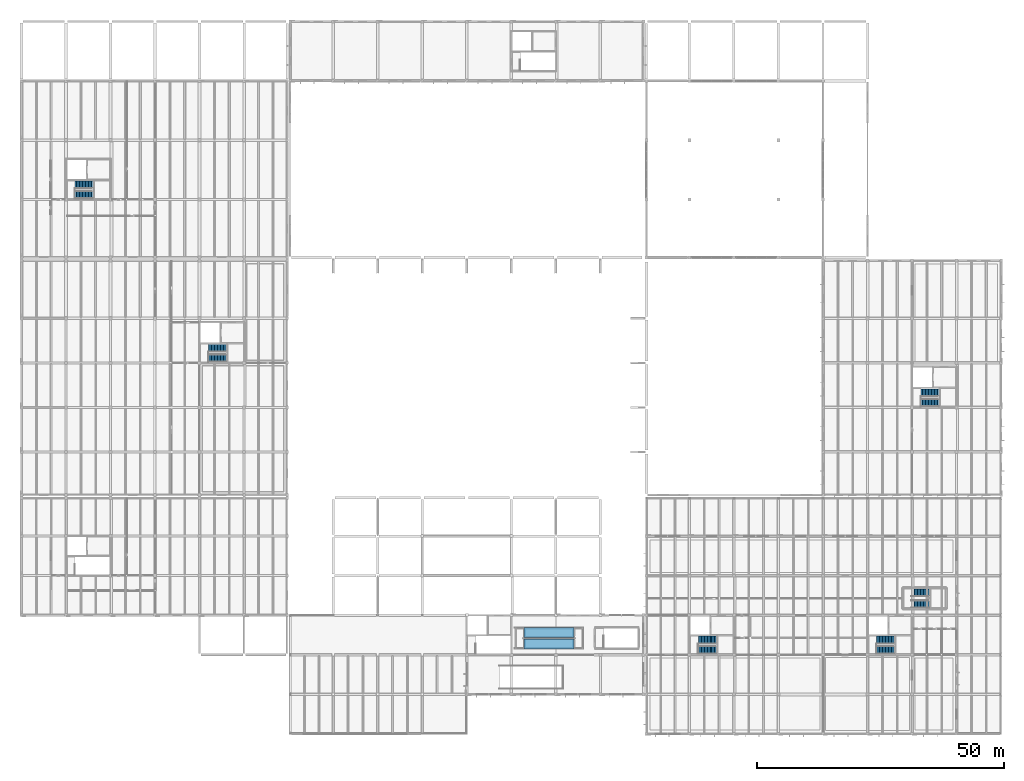
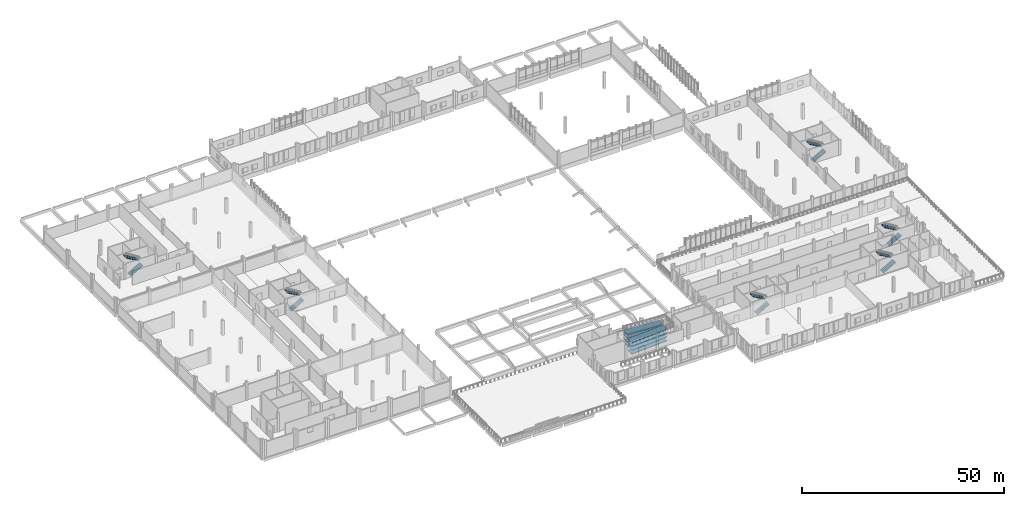
# One storey, part 47 of 63: 12 stair flights, 8 ramp flights, 7 elements without a shape of their own.
"""IFC4 building model written with IfcOpenShell, lengths in metres."""

from ifc_helpers import new_model, si_unit, direction, frame, origin, place, context, subcontext, project, spatial, polyline, outline, extrude, material, layer, layer_set, type_object, element, aggregate, save


model = new_model("IFC4")

# Units and contexts
model_context = context("Model", 3, precision=1e-05, world=origin(), true_north=direction((0.0, 1.0)))
body_context = subcontext(model_context, "Body", "Model", "MODEL_VIEW")
ifc_project = project(units=[si_unit("LENGTHUNIT", "METRE"), si_unit("AREAUNIT", "SQUARE_METRE"), si_unit("VOLUMEUNIT", "CUBIC_METRE"), si_unit("PLANEANGLEUNIT", "RADIAN"), si_unit("MASSUNIT", "GRAM", prefix="KILO")], contexts=[model_context])

# Site, building, storey
site_placement = place(None, origin())
site = spatial("IfcSite", under=ifc_project, at=site_placement, CompositionType="ELEMENT")
building_placement = place(site_placement, origin())
building = spatial("IfcBuilding", under=site, at=building_placement, Name="Zacnel Wholesale Market", CompositionType="ELEMENT")
storey_placement = place(building_placement, frame((0.0, 0.0, 11.199951171875)))
storey = spatial("IfcBuildingStorey", under=building, at=storey_placement, Name="L03", CompositionType="ELEMENT", Elevation=11.199951171875)

# Stair, stair flights
ifc_material_1 = material(Name="Precast concrete C45/55", Category="concrete")
stair_type = type_object("IfcStairType", Name="STR-DOGLEG-1550", PredefinedType="HALF_TURN_STAIR", material=ifc_material_1)
stair_1_placement = place(storey_placement, origin())
stair_1 = element("IfcStair", 1, at=stair_1_placement, inside=storey, type_object=stair_type, Name="Stair ST-03 (L03)", PredefinedType="HALF_TURN_STAIR")
ifc_material_2 = material(Name="Precast concrete C45/55", Category="concrete")
ifc_layer_1 = layer(ifc_material_2, 0.159912109375)
ifc_layer_set_1 = layer_set([ifc_layer_1], Name="Precast concrete C45/55")
stair_flight_type = type_object("IfcStairFlightType", Name="FLT-PC-1550", PredefinedType="STRAIGHT", material=ifc_layer_set_1)
stair_flight_1_placement = place(storey_placement, frame((154.81005859375, 16.965087890625, 0.0), z_axis=(0.0, 0.0, 1.0), x_axis=(1.0, 0.0, 0.0)))
stair_flight_1 = element("IfcStairFlight", 2, at=stair_flight_1_placement, type_object=stair_flight_type, Name="ST-03 flight 1", NumberOfRisers=13, NumberOfTreads=12, PredefinedType="STRAIGHT", RiserHeight=0.175, TreadLength=0.3, context=body_context, shape_type="SweptSolid", body=[
    extrude(outline(polyline([(0.0, 0.0), (0.0, 0.175048828125), (0.300048828125, 0.175048828125), (0.300048828125, 0.35009765625), (0.60009765625, 0.35009765625), (0.60009765625, 0.52490234375), (0.89990234375, 0.52490234375), (0.89990234375, 0.699951171875), (1.199951171875, 0.699951171875), (1.199951171875, 0.875), (1.5, 0.875), (1.5, 1.050048828125), (1.800048828125, 1.050048828125), (1.800048828125, 1.22509765625), (2.10009765625, 1.22509765625), (2.10009765625, 1.39990234375), (2.39990234375, 1.39990234375), (2.39990234375, 1.574951171875), (2.699951171875, 1.574951171875), (2.699951171875, 1.75), (3.0, 1.75), (3.0, 1.925048828125), (3.300048828125, 1.925048828125), (3.300048828125, 2.10009765625), (3.60009765625, 2.10009765625), (3.60009765625, 2.27490234375), (3.60009765625, 1.914794921875), (0.3173828125, 0.0), (0.0, 0.0)])), frame((0.0, 0.77490234375, 0.0), z_axis=(0.0, -1.0, 0.0), x_axis=(1.0, 0.0, 0.0)), (0.0, 0.0, 1.0), 1.550048828125),
])
stair_flight_2_placement = place(storey_placement, frame((158.409912109375, 18.985107421875, 2.275146484375), z_axis=(0.0, 0.0, 1.0), x_axis=(-1.0, 0.0, 0.0)))
stair_flight_2 = element("IfcStairFlight", 3, at=stair_flight_2_placement, type_object=stair_flight_type, Name="ST-03 flight 2", NumberOfRisers=13, NumberOfTreads=12, PredefinedType="STRAIGHT", RiserHeight=0.175, TreadLength=0.3, context=body_context, shape_type="SweptSolid", body=[
    extrude(outline(polyline([(0.0, 0.0), (0.0, 0.175048828125), (0.300048828125, 0.175048828125), (0.300048828125, 0.35009765625), (0.60009765625, 0.35009765625), (0.60009765625, 0.52490234375), (0.89990234375, 0.52490234375), (0.89990234375, 0.699951171875), (1.199951171875, 0.699951171875), (1.199951171875, 0.875), (1.5, 0.875), (1.5, 1.050048828125), (1.800048828125, 1.050048828125), (1.800048828125, 1.22509765625), (2.10009765625, 1.22509765625), (2.10009765625, 1.39990234375), (2.39990234375, 1.39990234375), (2.39990234375, 1.574951171875), (2.699951171875, 1.574951171875), (2.699951171875, 1.75), (3.0, 1.75), (3.0, 1.925048828125), (3.300048828125, 1.925048828125), (3.300048828125, 2.10009765625), (3.60009765625, 2.10009765625), (3.60009765625, 2.27490234375), (3.60009765625, 1.914794921875), (0.3173828125, 0.0), (0.0, 0.0)])), frame((0.0, 0.77490234375, 0.0), z_axis=(0.0, -1.0, 0.0), x_axis=(1.0, 0.0, 0.0)), (0.0, 0.0, 1.0), 1.550048828125),
])
aggregate(stair_1, [stair_flight_1, stair_flight_2])

stair_2_placement = place(storey_placement, origin())
stair_2 = element("IfcStair", 4, at=stair_2_placement, inside=storey, type_object=stair_type, Name="Stair ST-06 (L03)", PredefinedType="HALF_TURN_STAIR")
stair_flight_3_placement = place(storey_placement, frame((190.81005859375, 16.965087890625, 0.0), z_axis=(0.0, 0.0, 1.0), x_axis=(1.0, 0.0, 0.0)))
stair_flight_3 = element("IfcStairFlight", 5, at=stair_flight_3_placement, type_object=stair_flight_type, Name="ST-06 flight 1", NumberOfRisers=13, NumberOfTreads=12, PredefinedType="STRAIGHT", RiserHeight=0.175, TreadLength=0.3, context=body_context, shape_type="SweptSolid", body=[
    extrude(outline(polyline([(0.0, 0.0), (0.0, 0.175048828125), (0.300048828125, 0.175048828125), (0.300048828125, 0.35009765625), (0.60009765625, 0.35009765625), (0.60009765625, 0.52490234375), (0.89990234375, 0.52490234375), (0.89990234375, 0.699951171875), (1.199951171875, 0.699951171875), (1.199951171875, 0.875), (1.5, 0.875), (1.5, 1.050048828125), (1.800048828125, 1.050048828125), (1.800048828125, 1.22509765625), (2.10009765625, 1.22509765625), (2.10009765625, 1.39990234375), (2.39990234375, 1.39990234375), (2.39990234375, 1.574951171875), (2.699951171875, 1.574951171875), (2.699951171875, 1.75), (3.0, 1.75), (3.0, 1.925048828125), (3.300048828125, 1.925048828125), (3.300048828125, 2.10009765625), (3.60009765625, 2.10009765625), (3.60009765625, 2.27490234375), (3.60009765625, 1.914794921875), (0.3173828125, 0.0), (0.0, 0.0)])), frame((0.0, 0.77490234375, 0.0), z_axis=(0.0, -1.0, 0.0), x_axis=(1.0, 0.0, 0.0)), (0.0, 0.0, 1.0), 1.550048828125),
])
stair_flight_4_placement = place(storey_placement, frame((194.409912109375, 18.985107421875, 2.275146484375), z_axis=(0.0, 0.0, 1.0), x_axis=(-1.0, 0.0, 0.0)))
stair_flight_4 = element("IfcStairFlight", 6, at=stair_flight_4_placement, type_object=stair_flight_type, Name="ST-06 flight 2", NumberOfRisers=13, NumberOfTreads=12, PredefinedType="STRAIGHT", RiserHeight=0.175, TreadLength=0.3, context=body_context, shape_type="SweptSolid", body=[
    extrude(outline(polyline([(0.0, 0.0), (0.0, 0.175048828125), (0.300048828125, 0.175048828125), (0.300048828125, 0.35009765625), (0.60009765625, 0.35009765625), (0.60009765625, 0.52490234375), (0.89990234375, 0.52490234375), (0.89990234375, 0.699951171875), (1.199951171875, 0.699951171875), (1.199951171875, 0.875), (1.5, 0.875), (1.5, 1.050048828125), (1.800048828125, 1.050048828125), (1.800048828125, 1.22509765625), (2.10009765625, 1.22509765625), (2.10009765625, 1.39990234375), (2.39990234375, 1.39990234375), (2.39990234375, 1.574951171875), (2.699951171875, 1.574951171875), (2.699951171875, 1.75), (3.0, 1.75), (3.0, 1.925048828125), (3.300048828125, 1.925048828125), (3.300048828125, 2.10009765625), (3.60009765625, 2.10009765625), (3.60009765625, 2.27490234375), (3.60009765625, 1.914794921875), (0.3173828125, 0.0), (0.0, 0.0)])), frame((0.0, 0.77490234375, 0.0), z_axis=(0.0, -1.0, 0.0), x_axis=(1.0, 0.0, 0.0)), (0.0, 0.0, 1.0), 1.550048828125),
])
aggregate(stair_2, [stair_flight_3, stair_flight_4])

stair_3_placement = place(storey_placement, origin())
stair_3 = element("IfcStair", 7, at=stair_3_placement, inside=storey, type_object=stair_type, Name="Stair ST-11 (L03)", PredefinedType="HALF_TURN_STAIR")
stair_flight_5_placement = place(storey_placement, frame((55.81005859375, 75.965087890625, 0.0), z_axis=(0.0, 0.0, 1.0), x_axis=(1.0, 0.0, 0.0)))
stair_flight_5 = element("IfcStairFlight", 8, at=stair_flight_5_placement, type_object=stair_flight_type, Name="ST-11 flight 1", NumberOfRisers=13, NumberOfTreads=12, PredefinedType="STRAIGHT", RiserHeight=0.175, TreadLength=0.3, context=body_context, shape_type="SweptSolid", body=[
    extrude(outline(polyline([(0.0, 0.0), (0.0, 0.175048828125), (0.300048828125, 0.175048828125), (0.300048828125, 0.35009765625), (0.60009765625, 0.35009765625), (0.60009765625, 0.52490234375), (0.89990234375, 0.52490234375), (0.89990234375, 0.699951171875), (1.199951171875, 0.699951171875), (1.199951171875, 0.875), (1.5, 0.875), (1.5, 1.050048828125), (1.800048828125, 1.050048828125), (1.800048828125, 1.22509765625), (2.10009765625, 1.22509765625), (2.10009765625, 1.39990234375), (2.39990234375, 1.39990234375), (2.39990234375, 1.574951171875), (2.699951171875, 1.574951171875), (2.699951171875, 1.75), (3.0, 1.75), (3.0, 1.925048828125), (3.300048828125, 1.925048828125), (3.300048828125, 2.10009765625), (3.60009765625, 2.10009765625), (3.60009765625, 2.27490234375), (3.60009765625, 1.914794921875), (0.3173828125, 0.0), (0.0, 0.0)])), frame((0.0, 0.77490234375, 0.0), z_axis=(0.0, -1.0, 0.0), x_axis=(1.0, 0.0, 0.0)), (0.0, 0.0, 1.0), 1.550048828125),
])
stair_flight_6_placement = place(storey_placement, frame((59.409912109375, 77.985107421875, 2.275146484375), z_axis=(0.0, 0.0, 1.0), x_axis=(-1.0, 0.0, 0.0)))
stair_flight_6 = element("IfcStairFlight", 9, at=stair_flight_6_placement, type_object=stair_flight_type, Name="ST-11 flight 2", NumberOfRisers=13, NumberOfTreads=12, PredefinedType="STRAIGHT", RiserHeight=0.175, TreadLength=0.3, context=body_context, shape_type="SweptSolid", body=[
    extrude(outline(polyline([(0.0, 0.0), (0.0, 0.175048828125), (0.300048828125, 0.175048828125), (0.300048828125, 0.35009765625), (0.60009765625, 0.35009765625), (0.60009765625, 0.52490234375), (0.89990234375, 0.52490234375), (0.89990234375, 0.699951171875), (1.199951171875, 0.699951171875), (1.199951171875, 0.875), (1.5, 0.875), (1.5, 1.050048828125), (1.800048828125, 1.050048828125), (1.800048828125, 1.22509765625), (2.10009765625, 1.22509765625), (2.10009765625, 1.39990234375), (2.39990234375, 1.39990234375), (2.39990234375, 1.574951171875), (2.699951171875, 1.574951171875), (2.699951171875, 1.75), (3.0, 1.75), (3.0, 1.925048828125), (3.300048828125, 1.925048828125), (3.300048828125, 2.10009765625), (3.60009765625, 2.10009765625), (3.60009765625, 2.27490234375), (3.60009765625, 1.914794921875), (0.3173828125, 0.0), (0.0, 0.0)])), frame((0.0, 0.77490234375, 0.0), z_axis=(0.0, -1.0, 0.0), x_axis=(1.0, 0.0, 0.0)), (0.0, 0.0, 1.0), 1.550048828125),
])
aggregate(stair_3, [stair_flight_5, stair_flight_6])

stair_4_placement = place(storey_placement, origin())
stair_4 = element("IfcStair", 10, at=stair_4_placement, inside=storey, type_object=stair_type, Name="Stair ST-30 (L03)", PredefinedType="HALF_TURN_STAIR")
stair_flight_7_placement = place(storey_placement, frame((28.81005859375, 108.965087890625, 0.0), z_axis=(0.0, 0.0, 1.0), x_axis=(1.0, 0.0, 0.0)))
stair_flight_7 = element("IfcStairFlight", 11, at=stair_flight_7_placement, type_object=stair_flight_type, Name="ST-30 flight 1", NumberOfRisers=13, NumberOfTreads=12, PredefinedType="STRAIGHT", RiserHeight=0.175, TreadLength=0.3, context=body_context, shape_type="SweptSolid", body=[
    extrude(outline(polyline([(0.0, 0.0), (0.0, 0.175048828125), (0.300048828125, 0.175048828125), (0.300048828125, 0.35009765625), (0.60009765625, 0.35009765625), (0.60009765625, 0.52490234375), (0.89990234375, 0.52490234375), (0.89990234375, 0.699951171875), (1.199951171875, 0.699951171875), (1.199951171875, 0.875), (1.5, 0.875), (1.5, 1.050048828125), (1.800048828125, 1.050048828125), (1.800048828125, 1.22509765625), (2.10009765625, 1.22509765625), (2.10009765625, 1.39990234375), (2.39990234375, 1.39990234375), (2.39990234375, 1.574951171875), (2.699951171875, 1.574951171875), (2.699951171875, 1.75), (3.0, 1.75), (3.0, 1.925048828125), (3.300048828125, 1.925048828125), (3.300048828125, 2.10009765625), (3.60009765625, 2.10009765625), (3.60009765625, 2.27490234375), (3.60009765625, 1.914794921875), (0.3173828125, 0.0), (0.0, 0.0)])), frame((0.0, 0.77490234375, 0.0), z_axis=(0.0, -1.0, 0.0), x_axis=(1.0, 0.0, 0.0)), (0.0, 0.0, 1.0), 1.550048828125),
])
stair_flight_8_placement = place(storey_placement, frame((32.409912109375, 110.985107421875, 2.275146484375), z_axis=(0.0, 0.0, 1.0), x_axis=(-1.0, 0.0, 0.0)))
stair_flight_8 = element("IfcStairFlight", 12, at=stair_flight_8_placement, type_object=stair_flight_type, Name="ST-30 flight 2", NumberOfRisers=13, NumberOfTreads=12, PredefinedType="STRAIGHT", RiserHeight=0.175, TreadLength=0.3, context=body_context, shape_type="SweptSolid", body=[
    extrude(outline(polyline([(0.0, 0.0), (0.0, 0.175048828125), (0.300048828125, 0.175048828125), (0.300048828125, 0.35009765625), (0.60009765625, 0.35009765625), (0.60009765625, 0.52490234375), (0.89990234375, 0.52490234375), (0.89990234375, 0.699951171875), (1.199951171875, 0.699951171875), (1.199951171875, 0.875), (1.5, 0.875), (1.5, 1.050048828125), (1.800048828125, 1.050048828125), (1.800048828125, 1.22509765625), (2.10009765625, 1.22509765625), (2.10009765625, 1.39990234375), (2.39990234375, 1.39990234375), (2.39990234375, 1.574951171875), (2.699951171875, 1.574951171875), (2.699951171875, 1.75), (3.0, 1.75), (3.0, 1.925048828125), (3.300048828125, 1.925048828125), (3.300048828125, 2.10009765625), (3.60009765625, 2.10009765625), (3.60009765625, 2.27490234375), (3.60009765625, 1.914794921875), (0.3173828125, 0.0), (0.0, 0.0)])), frame((0.0, 0.77490234375, 0.0), z_axis=(0.0, -1.0, 0.0), x_axis=(1.0, 0.0, 0.0)), (0.0, 0.0, 1.0), 1.550048828125),
])
aggregate(stair_4, [stair_flight_7, stair_flight_8])

stair_5_placement = place(storey_placement, origin())
stair_5 = element("IfcStair", 13, at=stair_5_placement, inside=storey, type_object=stair_type, Name="Stair ST-29 (L03)", PredefinedType="HALF_TURN_STAIR")
stair_flight_9_placement = place(storey_placement, frame((199.81005859375, 66.965087890625, 0.0), z_axis=(0.0, 0.0, 1.0), x_axis=(1.0, 0.0, 0.0)))
stair_flight_9 = element("IfcStairFlight", 14, at=stair_flight_9_placement, type_object=stair_flight_type, Name="ST-29 flight 1", NumberOfRisers=13, NumberOfTreads=12, PredefinedType="STRAIGHT", RiserHeight=0.175, TreadLength=0.3, context=body_context, shape_type="SweptSolid", body=[
    extrude(outline(polyline([(0.0, 0.0), (0.0, 0.175048828125), (0.300048828125, 0.175048828125), (0.300048828125, 0.35009765625), (0.60009765625, 0.35009765625), (0.60009765625, 0.52490234375), (0.89990234375, 0.52490234375), (0.89990234375, 0.699951171875), (1.199951171875, 0.699951171875), (1.199951171875, 0.875), (1.5, 0.875), (1.5, 1.050048828125), (1.800048828125, 1.050048828125), (1.800048828125, 1.22509765625), (2.10009765625, 1.22509765625), (2.10009765625, 1.39990234375), (2.39990234375, 1.39990234375), (2.39990234375, 1.574951171875), (2.699951171875, 1.574951171875), (2.699951171875, 1.75), (3.0, 1.75), (3.0, 1.925048828125), (3.300048828125, 1.925048828125), (3.300048828125, 2.10009765625), (3.60009765625, 2.10009765625), (3.60009765625, 2.27490234375), (3.60009765625, 1.914794921875), (0.3173828125, 0.0), (0.0, 0.0)])), frame((0.0, 0.77490234375, 0.0), z_axis=(0.0, -1.0, 0.0), x_axis=(1.0, 0.0, 0.0)), (0.0, 0.0, 1.0), 1.550048828125),
])
stair_flight_10_placement = place(storey_placement, frame((203.409912109375, 68.985107421875, 2.275146484375), z_axis=(0.0, 0.0, 1.0), x_axis=(-1.0, 0.0, 0.0)))
stair_flight_10 = element("IfcStairFlight", 15, at=stair_flight_10_placement, type_object=stair_flight_type, Name="ST-29 flight 2", NumberOfRisers=13, NumberOfTreads=12, PredefinedType="STRAIGHT", RiserHeight=0.175, TreadLength=0.3, context=body_context, shape_type="SweptSolid", body=[
    extrude(outline(polyline([(0.0, 0.0), (0.0, 0.175048828125), (0.300048828125, 0.175048828125), (0.300048828125, 0.35009765625), (0.60009765625, 0.35009765625), (0.60009765625, 0.52490234375), (0.89990234375, 0.52490234375), (0.89990234375, 0.699951171875), (1.199951171875, 0.699951171875), (1.199951171875, 0.875), (1.5, 0.875), (1.5, 1.050048828125), (1.800048828125, 1.050048828125), (1.800048828125, 1.22509765625), (2.10009765625, 1.22509765625), (2.10009765625, 1.39990234375), (2.39990234375, 1.39990234375), (2.39990234375, 1.574951171875), (2.699951171875, 1.574951171875), (2.699951171875, 1.75), (3.0, 1.75), (3.0, 1.925048828125), (3.300048828125, 1.925048828125), (3.300048828125, 2.10009765625), (3.60009765625, 2.10009765625), (3.60009765625, 2.27490234375), (3.60009765625, 1.914794921875), (0.3173828125, 0.0), (0.0, 0.0)])), frame((0.0, 0.77490234375, 0.0), z_axis=(0.0, -1.0, 0.0), x_axis=(1.0, 0.0, 0.0)), (0.0, 0.0, 1.0), 1.550048828125),
])
aggregate(stair_5, [stair_flight_9, stair_flight_10])

stair_6_placement = place(storey_placement, origin())
stair_6 = element("IfcStair", 16, at=stair_6_placement, inside=storey, type_object=stair_type, Name="Stair ST-26 (L03)", PredefinedType="HALF_TURN_STAIR")
stair_flight_11_placement = place(storey_placement, frame((197.8798828125, 26.235107421875, 0.0), z_axis=(0.0, 0.0, 1.0), x_axis=(1.0, 0.0, 0.0)))
stair_flight_11 = element("IfcStairFlight", 17, at=stair_flight_11_placement, type_object=stair_flight_type, Name="ST-26 flight 1", NumberOfRisers=13, NumberOfTreads=12, PredefinedType="STRAIGHT", RiserHeight=0.175, TreadLength=0.3, context=body_context, shape_type="SweptSolid", body=[
    extrude(outline(polyline([(0.0, 0.0), (0.0, 0.175048828125), (0.300048828125, 0.175048828125), (0.300048828125, 0.35009765625), (0.60009765625, 0.35009765625), (0.60009765625, 0.52490234375), (0.89990234375, 0.52490234375), (0.89990234375, 0.699951171875), (1.199951171875, 0.699951171875), (1.199951171875, 0.875), (1.5, 0.875), (1.5, 1.050048828125), (1.800048828125, 1.050048828125), (1.800048828125, 1.22509765625), (2.10009765625, 1.22509765625), (2.10009765625, 1.39990234375), (2.39990234375, 1.39990234375), (2.39990234375, 1.574951171875), (2.699951171875, 1.574951171875), (2.699951171875, 1.75), (3.0, 1.75), (3.0, 1.925048828125), (3.300048828125, 1.925048828125), (3.300048828125, 2.10009765625), (3.60009765625, 2.10009765625), (3.60009765625, 2.27490234375), (3.60009765625, 1.914794921875), (0.3173828125, 0.0), (0.0, 0.0)])), frame((0.0, 0.77490234375, 0.0), z_axis=(0.0, -1.0, 0.0), x_axis=(1.0, 0.0, 0.0)), (0.0, 0.0, 1.0), 1.550048828125),
])
stair_flight_12_placement = place(storey_placement, frame((201.47998046875, 28.56494140625, 2.275146484375), z_axis=(0.0, 0.0, 1.0), x_axis=(-1.0, 0.0, 0.0)))
stair_flight_12 = element("IfcStairFlight", 18, at=stair_flight_12_placement, type_object=stair_flight_type, Name="ST-26 flight 2", NumberOfRisers=13, NumberOfTreads=12, PredefinedType="STRAIGHT", RiserHeight=0.175, TreadLength=0.3, context=body_context, shape_type="SweptSolid", body=[
    extrude(outline(polyline([(0.0, 0.0), (0.0, 0.175048828125), (0.300048828125, 0.175048828125), (0.300048828125, 0.35009765625), (0.60009765625, 0.35009765625), (0.60009765625, 0.52490234375), (0.89990234375, 0.52490234375), (0.89990234375, 0.699951171875), (1.199951171875, 0.699951171875), (1.199951171875, 0.875), (1.5, 0.875), (1.5, 1.050048828125), (1.800048828125, 1.050048828125), (1.800048828125, 1.22509765625), (2.10009765625, 1.22509765625), (2.10009765625, 1.39990234375), (2.39990234375, 1.39990234375), (2.39990234375, 1.574951171875), (2.699951171875, 1.574951171875), (2.699951171875, 1.75), (3.0, 1.75), (3.0, 1.925048828125), (3.300048828125, 1.925048828125), (3.300048828125, 2.10009765625), (3.60009765625, 2.10009765625), (3.60009765625, 2.27490234375), (3.60009765625, 1.914794921875), (0.3173828125, 0.0), (0.0, 0.0)])), frame((0.0, 0.77490234375, 0.0), z_axis=(0.0, -1.0, 0.0), x_axis=(1.0, 0.0, 0.0)), (0.0, 0.0, 1.0), 1.550048828125),
])
aggregate(stair_6, [stair_flight_11, stair_flight_12])

# Ramp, ramp flights
ifc_material_3 = material(Name="Precast concrete C45/55", Category="concrete")
ramp_type = type_object("IfcRampType", Name="RMP-TWO-RUN-2000", PredefinedType="TWO_STRAIGHT_RUN_RAMP", material=ifc_material_3)
ramp_placement = place(storey_placement, origin())
ramp = element("IfcRamp", 19, at=ramp_placement, inside=storey, type_object=ramp_type, Name="Accessible ramp RP-05 (RMP-PROM-3)", PredefinedType="TWO_STRAIGHT_RUN_RAMP")
ifc_material_4 = material(Name="Precast concrete C45/55", Category="concrete")
ifc_layer_2 = layer(ifc_material_4, 0.219970703125)
ifc_layer_set_2 = layer_set([ifc_layer_2], Name="Precast concrete C45/55")
ramp_flight_type = type_object("IfcRampFlightType", Name="RFLT-PC-2000", PredefinedType="STRAIGHT", material=ifc_layer_set_2)
ramp_flight_1_placement = place(storey_placement, frame((119.60009765625, 18.199951171875, 0.0), z_axis=(0.0, 0.0, 1.0), x_axis=(1.0, 0.0, 0.0)))
ramp_flight_1 = element("IfcRampFlight", 20, at=ramp_flight_1_placement, type_object=ramp_flight_type, Name="Accessible ramp RP-05 (RMP-PROM-3) flight 1", PredefinedType="STRAIGHT", context=body_context, shape_type="SweptSolid", body=[
    extrude(outline(polyline([(0.0, 0.0), (10.06591796875, 0.56884765625), (10.06591796875, 0.348876953125), (0.0, -0.219970703125), (0.0, 0.0)])), frame((0.0, 1.0, 0.0), z_axis=(0.0, -1.0, 0.0), x_axis=(1.0, 0.0, 0.0)), (0.0, 0.0, 1.0), 2.0),
])
ramp_flight_2_placement = place(storey_placement, frame((129.666015625, 20.5, 0.56884765625), z_axis=(0.0, 0.0, 1.0), x_axis=(-1.0, 0.0, 0.0)))
ramp_flight_2 = element("IfcRampFlight", 21, at=ramp_flight_2_placement, type_object=ramp_flight_type, Name="Accessible ramp RP-05 (RMP-PROM-3) flight 2", PredefinedType="STRAIGHT", context=body_context, shape_type="SweptSolid", body=[
    extrude(outline(polyline([(0.0, 0.0), (10.06591796875, 0.56884765625), (10.06591796875, 0.348876953125), (0.0, -0.219970703125), (0.0, 0.0)])), frame((0.0, 1.0, 0.0), z_axis=(0.0, -1.0, 0.0), x_axis=(1.0, 0.0, 0.0)), (0.0, 0.0, 1.0), 2.0),
])
ramp_flight_3_placement = place(storey_placement, frame((119.60009765625, 18.199951171875, 1.137451171875), z_axis=(0.0, 0.0, 1.0), x_axis=(1.0, 0.0, 0.0)))
ramp_flight_3 = element("IfcRampFlight", 22, at=ramp_flight_3_placement, type_object=ramp_flight_type, Name="Accessible ramp RP-05 (RMP-PROM-3) flight 3", PredefinedType="STRAIGHT", context=body_context, shape_type="SweptSolid", body=[
    extrude(outline(polyline([(0.0, 0.0), (10.06591796875, 0.56884765625), (10.06591796875, 0.348876953125), (0.0, -0.219970703125), (0.0, 0.0)])), frame((0.0, 1.0, 0.0), z_axis=(0.0, -1.0, 0.0), x_axis=(1.0, 0.0, 0.0)), (0.0, 0.0, 1.0), 2.0),
])
ramp_flight_4_placement = place(storey_placement, frame((129.666015625, 20.5, 1.706298828125), z_axis=(0.0, 0.0, 1.0), x_axis=(-1.0, 0.0, 0.0)))
ramp_flight_4 = element("IfcRampFlight", 23, at=ramp_flight_4_placement, type_object=ramp_flight_type, Name="Accessible ramp RP-05 (RMP-PROM-3) flight 4", PredefinedType="STRAIGHT", context=body_context, shape_type="SweptSolid", body=[
    extrude(outline(polyline([(0.0, 0.0), (10.06591796875, 0.56884765625), (10.06591796875, 0.348876953125), (0.0, -0.219970703125), (0.0, 0.0)])), frame((0.0, 1.0, 0.0), z_axis=(0.0, -1.0, 0.0), x_axis=(1.0, 0.0, 0.0)), (0.0, 0.0, 1.0), 2.0),
])
ramp_flight_5_placement = place(storey_placement, frame((119.60009765625, 18.199951171875, 2.275146484375), z_axis=(0.0, 0.0, 1.0), x_axis=(1.0, 0.0, 0.0)))
ramp_flight_5 = element("IfcRampFlight", 24, at=ramp_flight_5_placement, type_object=ramp_flight_type, Name="Accessible ramp RP-05 (RMP-PROM-3) flight 5", PredefinedType="STRAIGHT", context=body_context, shape_type="SweptSolid", body=[
    extrude(outline(polyline([(0.0, 0.0), (10.06591796875, 0.56884765625), (10.06591796875, 0.348876953125), (0.0, -0.219970703125), (0.0, 0.0)])), frame((0.0, 1.0, 0.0), z_axis=(0.0, -1.0, 0.0), x_axis=(1.0, 0.0, 0.0)), (0.0, 0.0, 1.0), 2.0),
])
ramp_flight_6_placement = place(storey_placement, frame((129.666015625, 20.5, 2.84375), z_axis=(0.0, 0.0, 1.0), x_axis=(-1.0, 0.0, 0.0)))
ramp_flight_6 = element("IfcRampFlight", 25, at=ramp_flight_6_placement, type_object=ramp_flight_type, Name="Accessible ramp RP-05 (RMP-PROM-3) flight 6", PredefinedType="STRAIGHT", context=body_context, shape_type="SweptSolid", body=[
    extrude(outline(polyline([(0.0, 0.0), (10.06591796875, 0.56884765625), (10.06591796875, 0.348876953125), (0.0, -0.219970703125), (0.0, 0.0)])), frame((0.0, 1.0, 0.0), z_axis=(0.0, -1.0, 0.0), x_axis=(1.0, 0.0, 0.0)), (0.0, 0.0, 1.0), 2.0),
])
ramp_flight_7_placement = place(storey_placement, frame((119.60009765625, 18.199951171875, 3.41259765625), z_axis=(0.0, 0.0, 1.0), x_axis=(1.0, 0.0, 0.0)))
ramp_flight_7 = element("IfcRampFlight", 26, at=ramp_flight_7_placement, type_object=ramp_flight_type, Name="Accessible ramp RP-05 (RMP-PROM-3) flight 7", PredefinedType="STRAIGHT", context=body_context, shape_type="SweptSolid", body=[
    extrude(outline(polyline([(0.0, 0.0), (10.06591796875, 0.56884765625), (10.06591796875, 0.348876953125), (0.0, -0.219970703125), (0.0, 0.0)])), frame((0.0, 1.0, 0.0), z_axis=(0.0, -1.0, 0.0), x_axis=(1.0, 0.0, 0.0)), (0.0, 0.0, 1.0), 2.0),
])
ramp_flight_8_placement = place(storey_placement, frame((129.666015625, 20.5, 3.981201171875), z_axis=(0.0, 0.0, 1.0), x_axis=(-1.0, 0.0, 0.0)))
ramp_flight_8 = element("IfcRampFlight", 27, at=ramp_flight_8_placement, type_object=ramp_flight_type, Name="Accessible ramp RP-05 (RMP-PROM-3) flight 8", PredefinedType="STRAIGHT", context=body_context, shape_type="SweptSolid", body=[
    extrude(outline(polyline([(0.0, 0.0), (10.06591796875, 0.56884765625), (10.06591796875, 0.348876953125), (0.0, -0.219970703125), (0.0, 0.0)])), frame((0.0, 1.0, 0.0), z_axis=(0.0, -1.0, 0.0), x_axis=(1.0, 0.0, 0.0)), (0.0, 0.0, 1.0), 2.0),
])
aggregate(ramp, [ramp_flight_1, ramp_flight_2, ramp_flight_3, ramp_flight_4, ramp_flight_5, ramp_flight_6, ramp_flight_7, ramp_flight_8])

save(model, "model.ifc")
